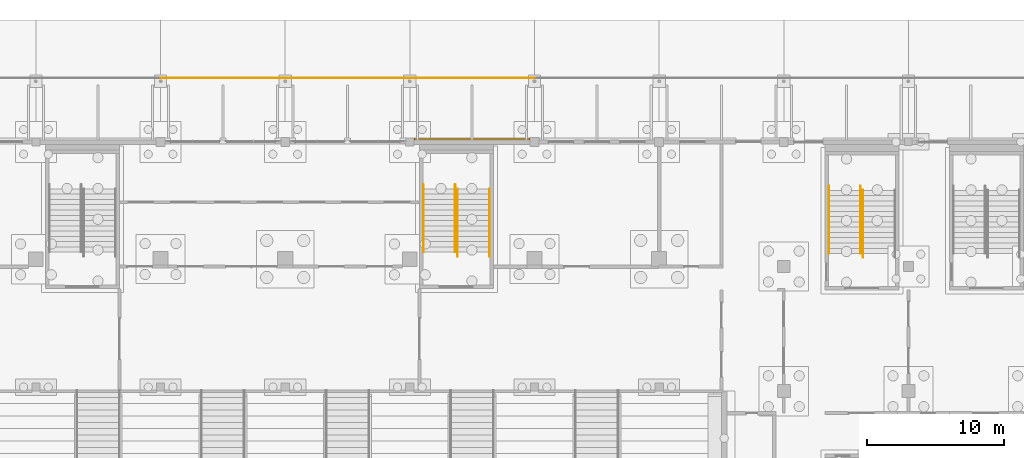
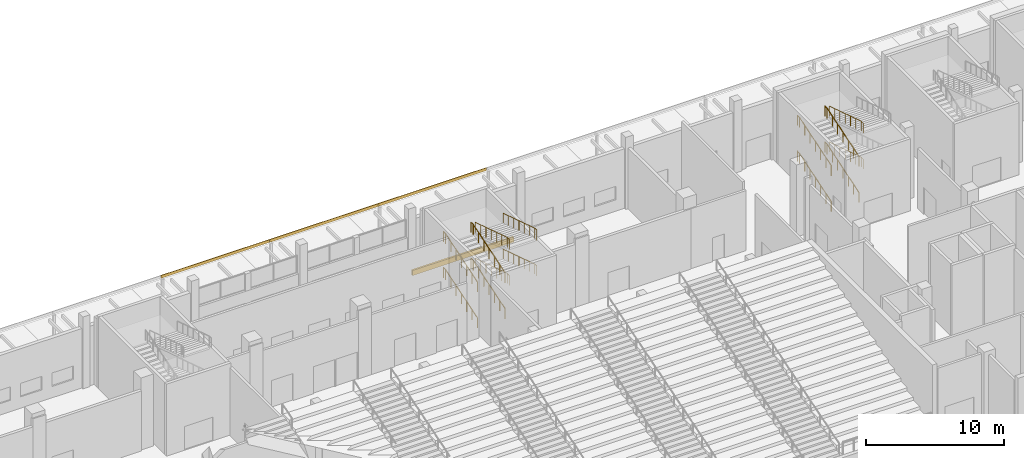
# One storey, part 115 of 129: 14 railings, 4 coverings.
"""IFC4 building model written with IfcOpenShell, lengths in metres."""

from ifc_helpers import new_model, si_unit, direction, frame, origin, origin_2d, place, context, subcontext, project, spatial, rectangle, circle, extrude, material, layer, layer_set, type_object, element, save


model = new_model("IFC4")

# Units and contexts
model_context = context("Model", 3, precision=1e-05, world=origin(), true_north=direction((0.0, 1.0)))
body_context = subcontext(model_context, "Body", "Model", "MODEL_VIEW")
ifc_project = project(units=[si_unit("LENGTHUNIT", "METRE"), si_unit("AREAUNIT", "SQUARE_METRE"), si_unit("VOLUMEUNIT", "CUBIC_METRE"), si_unit("PLANEANGLEUNIT", "RADIAN"), si_unit("MASSUNIT", "GRAM", prefix="KILO")], contexts=[model_context])

# Site, building, storey
site_placement = place(None, origin())
site = spatial("IfcSite", under=ifc_project, at=site_placement, CompositionType="ELEMENT")
building_placement = place(site_placement, origin())
building = spatial("IfcBuilding", under=site, at=building_placement, Name="Shirokan Park Arena", CompositionType="ELEMENT")
storey_placement = place(building_placement, origin())
storey = spatial("IfcBuildingStorey", under=building, at=storey_placement, Name="L00", CompositionType="ELEMENT", Elevation=0.0)

# Coverings
ifc_material_1 = material(Name="Timber fascia (cedar)", Category="wood")
ifc_layer_1 = layer(ifc_material_1, 0.050048828125)
ifc_layer_set_1 = layer_set([ifc_layer_1], Name="Timber fascia (cedar) 50 mm")
covering_type_1 = type_object("IfcCoveringType", Name="Canopy fascia 50x250", PredefinedType="CLADDING", material=ifc_layer_set_1)
for number, where, z_axis, x_axis, name in (
    (1, (86.449951171875, 113.875, 3.5), (0.0, 0.0, 1.0), (-1.0, 0.0, 0.0), "Canopy fascia north bay 7"),
    (2, (77.35009765625, 113.875, 3.5), (0.0, 0.0, 1.0), (-1.0, 0.0, 0.0), "Canopy fascia north bay 8"),
    (3, (68.25, 113.875, 3.5), (0.0, 0.0, 1.0), (-1.0, 0.0, 0.0), "Canopy fascia north bay 9"),
):
    element("IfcCovering", number, at=place(storey_placement, frame(where, z_axis=z_axis, x_axis=x_axis)), inside=storey, type_object=covering_type_1, Name=name, PredefinedType="CLADDING", context=body_context, shape_type="SweptSolid", body=[
        extrude(rectangle(XDim=9.10009765625, YDim=0.050048828125, at=origin_2d()), origin(), (0.0, 0.0, 1.0), 0.25),
    ])

# Railings
ifc_material_2 = material(Name="Stainless steel", Category="steel")
railing_type = type_object("IfcRailingType", Name="Stair handrail 900", PredefinedType="HANDRAIL", material=ifc_material_2)
railing_1_placement = place(storey_placement, frame((112.489990234375, 101.050048828125, 0.12255859375)))
element("IfcRailing", 4, at=railing_1_placement, inside=storey, type_object=railing_type, Name="Handrail Exit Stair 3.D L00 to L01", PredefinedType="HANDRAIL", context=body_context, shape_type="SweptSolid", body=[
    extrude(circle(Radius=0.02392578125, at=origin_2d()), frame((0.0, 0.0, 0.8759765625), z_axis=(0.0, 0.952929747917, 0.303191186441), x_axis=(-1.0, 0.0, 0.0)), (0.0, 0.0, 1.0), 1.6162109375),
    extrude(circle(Radius=0.02392578125, at=origin_2d()), frame((0.0, 1.5400390625, 1.36572265625), z_axis=(0.0, 0.952915858112, 0.303234838629), x_axis=(-1.0, 0.0, 0.0)), (0.0, 0.0, 1.0), 1.615966796875),
    extrude(circle(Radius=0.02392578125, at=origin_2d()), frame((0.0, 3.079833984375, 1.85595703125), z_axis=(0.0, 0.952929747917, 0.303191186441), x_axis=(-1.0, 0.0, 0.0)), (0.0, 0.0, 1.0), 1.6162109375),
    extrude(circle(Radius=0.02392578125, at=origin_2d()), frame((0.0, 4.619873046875, 2.345703125), z_axis=(0.0, 1.0, 0.0), x_axis=(-1.0, 0.0, 0.0)), (0.0, 0.0, 1.0), 0.300048828125),
    extrude(circle(Radius=0.02099609375, at=origin_2d()), origin(), (0.0, 0.0, 1.0), 0.851806640625),
    extrude(circle(Radius=0.02099609375, at=origin_2d()), frame((0.0, 0.77001953125, 0.2451171875)), (0.0, 0.0, 1.0), 0.851806640625),
    extrude(circle(Radius=0.02099609375, at=origin_2d()), frame((0.0, 1.5400390625, 0.489990234375)), (0.0, 0.0, 1.0), 0.851806640625),
    extrude(circle(Radius=0.02099609375, at=origin_2d()), frame((0.0, 2.31005859375, 0.73486328125)), (0.0, 0.0, 1.0), 0.851806640625),
    extrude(circle(Radius=0.02099609375, at=origin_2d()), frame((0.0, 3.079833984375, 0.97998046875)), (0.0, 0.0, 1.0), 0.851806640625),
    extrude(circle(Radius=0.02099609375, at=origin_2d()), frame((0.0, 3.849853515625, 1.22509765625)), (0.0, 0.0, 1.0), 0.851806640625),
    extrude(circle(Radius=0.02099609375, at=origin_2d()), frame((0.0, 4.619873046875, 1.469970703125)), (0.0, 0.0, 1.0), 0.851806640625),
    extrude(circle(Radius=0.02099609375, at=origin_2d()), frame((0.0, 4.919921875, 1.469970703125)), (0.0, 0.0, 1.0), 0.851806640625),
])
railing_2_placement = place(storey_placement, frame((114.81005859375, 101.050048828125, 0.12255859375)))
element("IfcRailing", 5, at=railing_2_placement, inside=storey, type_object=railing_type, Name="Handrail Exit Stair 3.D L00 to L01", PredefinedType="HANDRAIL", context=body_context, shape_type="SweptSolid", body=[
    extrude(circle(Radius=0.02392578125, at=origin_2d()), frame((0.0, 0.0, 0.8759765625), z_axis=(0.0, 0.952929747917, 0.303191186441), x_axis=(-1.0, 0.0, 0.0)), (0.0, 0.0, 1.0), 1.6162109375),
    extrude(circle(Radius=0.02392578125, at=origin_2d()), frame((0.0, 1.5400390625, 1.36572265625), z_axis=(0.0, 0.952915858112, 0.303234838629), x_axis=(-1.0, 0.0, 0.0)), (0.0, 0.0, 1.0), 1.615966796875),
    extrude(circle(Radius=0.02392578125, at=origin_2d()), frame((0.0, 3.079833984375, 1.85595703125), z_axis=(0.0, 0.952929747917, 0.303191186441), x_axis=(-1.0, 0.0, 0.0)), (0.0, 0.0, 1.0), 1.6162109375),
    extrude(circle(Radius=0.02392578125, at=origin_2d()), frame((0.0, 4.619873046875, 2.345703125), z_axis=(0.0, 1.0, 0.0), x_axis=(-1.0, 0.0, 0.0)), (0.0, 0.0, 1.0), 0.300048828125),
    extrude(circle(Radius=0.02099609375, at=origin_2d()), origin(), (0.0, 0.0, 1.0), 0.851806640625),
    extrude(circle(Radius=0.02099609375, at=origin_2d()), frame((0.0, 0.77001953125, 0.2451171875)), (0.0, 0.0, 1.0), 0.851806640625),
    extrude(circle(Radius=0.02099609375, at=origin_2d()), frame((0.0, 1.5400390625, 0.489990234375)), (0.0, 0.0, 1.0), 0.851806640625),
    extrude(circle(Radius=0.02099609375, at=origin_2d()), frame((0.0, 2.31005859375, 0.73486328125)), (0.0, 0.0, 1.0), 0.851806640625),
    extrude(circle(Radius=0.02099609375, at=origin_2d()), frame((0.0, 3.079833984375, 0.97998046875)), (0.0, 0.0, 1.0), 0.851806640625),
    extrude(circle(Radius=0.02099609375, at=origin_2d()), frame((0.0, 3.849853515625, 1.22509765625)), (0.0, 0.0, 1.0), 0.851806640625),
    extrude(circle(Radius=0.02099609375, at=origin_2d()), frame((0.0, 4.619873046875, 1.469970703125)), (0.0, 0.0, 1.0), 0.851806640625),
    extrude(circle(Radius=0.02099609375, at=origin_2d()), frame((0.0, 4.919921875, 1.469970703125)), (0.0, 0.0, 1.0), 0.851806640625),
])
railing_3_placement = place(storey_placement, frame((114.989990234375, 105.669921875, 1.715087890625)))
element("IfcRailing", 6, at=railing_3_placement, inside=storey, type_object=railing_type, Name="Handrail Exit Stair 3.D L00 to L01", PredefinedType="HANDRAIL", context=body_context, shape_type="SweptSolid", body=[
    extrude(circle(Radius=0.02392578125, at=origin_2d()), frame((0.0, 0.0, 0.8759765625), z_axis=(0.0, -0.952929747917, 0.303191186441), x_axis=(1.0, 0.0, 0.0)), (0.0, 0.0, 1.0), 1.6162109375),
    extrude(circle(Radius=0.02392578125, at=origin_2d()), frame((0.0, -1.5400390625, 1.36572265625), z_axis=(0.0, -0.952915858112, 0.303234838629), x_axis=(1.0, 0.0, 0.0)), (0.0, 0.0, 1.0), 1.615966796875),
    extrude(circle(Radius=0.02392578125, at=origin_2d()), frame((0.0, -3.079833984375, 1.85595703125), z_axis=(0.0, -0.952929747917, 0.303191186441), x_axis=(1.0, 0.0, 0.0)), (0.0, 0.0, 1.0), 1.6162109375),
    extrude(circle(Radius=0.02392578125, at=origin_2d()), frame((0.0, -4.619873046875, 2.345703125), z_axis=(0.0, -1.0, 0.0), x_axis=(1.0, 0.0, 0.0)), (0.0, 0.0, 1.0), 0.300048828125),
    extrude(circle(Radius=0.02099609375, at=origin_2d()), origin(), (0.0, 0.0, 1.0), 0.851806640625),
    extrude(circle(Radius=0.02099609375, at=origin_2d()), frame((0.0, -0.77001953125, 0.2451171875)), (0.0, 0.0, 1.0), 0.851806640625),
    extrude(circle(Radius=0.02099609375, at=origin_2d()), frame((0.0, -1.5400390625, 0.489990234375)), (0.0, 0.0, 1.0), 0.851806640625),
    extrude(circle(Radius=0.02099609375, at=origin_2d()), frame((0.0, -2.31005859375, 0.73486328125)), (0.0, 0.0, 1.0), 0.851806640625),
    extrude(circle(Radius=0.02099609375, at=origin_2d()), frame((0.0, -3.079833984375, 0.97998046875)), (0.0, 0.0, 1.0), 0.851806640625),
    extrude(circle(Radius=0.02099609375, at=origin_2d()), frame((0.0, -3.849853515625, 1.22509765625)), (0.0, 0.0, 1.0), 0.851806640625),
    extrude(circle(Radius=0.02099609375, at=origin_2d()), frame((0.0, -4.619873046875, 1.469970703125)), (0.0, 0.0, 1.0), 0.851806640625),
    extrude(circle(Radius=0.02099609375, at=origin_2d()), frame((0.0, -4.919921875, 1.469970703125)), (0.0, 0.0, 1.0), 0.851806640625),
])
railing_4_placement = place(storey_placement, frame((112.489990234375, 101.050048828125, 3.3076171875)))
element("IfcRailing", 7, at=railing_4_placement, inside=storey, type_object=railing_type, Name="Handrail Exit Stair 3.D L00 to L01", PredefinedType="HANDRAIL", context=body_context, shape_type="SweptSolid", body=[
    extrude(circle(Radius=0.02392578125, at=origin_2d()), frame((0.0, 0.0, 0.8759765625), z_axis=(0.0, 0.952929747917, 0.303191186441), x_axis=(-1.0, 0.0, 0.0)), (0.0, 0.0, 1.0), 1.6162109375),
    extrude(circle(Radius=0.02392578125, at=origin_2d()), frame((0.0, 1.5400390625, 1.36572265625), z_axis=(0.0, 0.952915858112, 0.303234838629), x_axis=(-1.0, 0.0, 0.0)), (0.0, 0.0, 1.0), 1.615966796875),
    extrude(circle(Radius=0.02392578125, at=origin_2d()), frame((0.0, 3.079833984375, 1.85595703125), z_axis=(0.0, 0.952929747917, 0.303191186441), x_axis=(-1.0, 0.0, 0.0)), (0.0, 0.0, 1.0), 1.6162109375),
    extrude(circle(Radius=0.02392578125, at=origin_2d()), frame((0.0, 4.619873046875, 2.345703125), z_axis=(0.0, 1.0, 0.0), x_axis=(-1.0, 0.0, 0.0)), (0.0, 0.0, 1.0), 0.300048828125),
    extrude(circle(Radius=0.02099609375, at=origin_2d()), origin(), (0.0, 0.0, 1.0), 0.851806640625),
    extrude(circle(Radius=0.02099609375, at=origin_2d()), frame((0.0, 0.77001953125, 0.2451171875)), (0.0, 0.0, 1.0), 0.851806640625),
    extrude(circle(Radius=0.02099609375, at=origin_2d()), frame((0.0, 1.5400390625, 0.489990234375)), (0.0, 0.0, 1.0), 0.851806640625),
    extrude(circle(Radius=0.02099609375, at=origin_2d()), frame((0.0, 2.31005859375, 0.73486328125)), (0.0, 0.0, 1.0), 0.851806640625),
    extrude(circle(Radius=0.02099609375, at=origin_2d()), frame((0.0, 3.079833984375, 0.97998046875)), (0.0, 0.0, 1.0), 0.851806640625),
    extrude(circle(Radius=0.02099609375, at=origin_2d()), frame((0.0, 3.849853515625, 1.22509765625)), (0.0, 0.0, 1.0), 0.851806640625),
    extrude(circle(Radius=0.02099609375, at=origin_2d()), frame((0.0, 4.619873046875, 1.469970703125)), (0.0, 0.0, 1.0), 0.851806640625),
    extrude(circle(Radius=0.02099609375, at=origin_2d()), frame((0.0, 4.919921875, 1.469970703125)), (0.0, 0.0, 1.0), 0.851806640625),
])
railing_5_placement = place(storey_placement, frame((114.81005859375, 101.050048828125, 3.3076171875)))
element("IfcRailing", 8, at=railing_5_placement, inside=storey, type_object=railing_type, Name="Handrail Exit Stair 3.D L00 to L01", PredefinedType="HANDRAIL", context=body_context, shape_type="SweptSolid", body=[
    extrude(circle(Radius=0.02392578125, at=origin_2d()), frame((0.0, 0.0, 0.8759765625), z_axis=(0.0, 0.952929747917, 0.303191186441), x_axis=(-1.0, 0.0, 0.0)), (0.0, 0.0, 1.0), 1.6162109375),
    extrude(circle(Radius=0.02392578125, at=origin_2d()), frame((0.0, 1.5400390625, 1.36572265625), z_axis=(0.0, 0.952915858112, 0.303234838629), x_axis=(-1.0, 0.0, 0.0)), (0.0, 0.0, 1.0), 1.615966796875),
    extrude(circle(Radius=0.02392578125, at=origin_2d()), frame((0.0, 3.079833984375, 1.85595703125), z_axis=(0.0, 0.952929747917, 0.303191186441), x_axis=(-1.0, 0.0, 0.0)), (0.0, 0.0, 1.0), 1.6162109375),
    extrude(circle(Radius=0.02392578125, at=origin_2d()), frame((0.0, 4.619873046875, 2.345703125), z_axis=(0.0, 1.0, 0.0), x_axis=(-1.0, 0.0, 0.0)), (0.0, 0.0, 1.0), 0.300048828125),
    extrude(circle(Radius=0.02099609375, at=origin_2d()), origin(), (0.0, 0.0, 1.0), 0.851806640625),
    extrude(circle(Radius=0.02099609375, at=origin_2d()), frame((0.0, 0.77001953125, 0.2451171875)), (0.0, 0.0, 1.0), 0.851806640625),
    extrude(circle(Radius=0.02099609375, at=origin_2d()), frame((0.0, 1.5400390625, 0.489990234375)), (0.0, 0.0, 1.0), 0.851806640625),
    extrude(circle(Radius=0.02099609375, at=origin_2d()), frame((0.0, 2.31005859375, 0.73486328125)), (0.0, 0.0, 1.0), 0.851806640625),
    extrude(circle(Radius=0.02099609375, at=origin_2d()), frame((0.0, 3.079833984375, 0.97998046875)), (0.0, 0.0, 1.0), 0.851806640625),
    extrude(circle(Radius=0.02099609375, at=origin_2d()), frame((0.0, 3.849853515625, 1.22509765625)), (0.0, 0.0, 1.0), 0.851806640625),
    extrude(circle(Radius=0.02099609375, at=origin_2d()), frame((0.0, 4.619873046875, 1.469970703125)), (0.0, 0.0, 1.0), 0.851806640625),
    extrude(circle(Radius=0.02099609375, at=origin_2d()), frame((0.0, 4.919921875, 1.469970703125)), (0.0, 0.0, 1.0), 0.851806640625),
])
railing_6_placement = place(storey_placement, frame((114.989990234375, 105.669921875, 4.89990234375)))
element("IfcRailing", 9, at=railing_6_placement, inside=storey, type_object=railing_type, Name="Handrail Exit Stair 3.D L00 to L01", PredefinedType="HANDRAIL", context=body_context, shape_type="SweptSolid", body=[
    extrude(circle(Radius=0.02392578125, at=origin_2d()), frame((0.0, 0.0, 0.8759765625), z_axis=(0.0, -0.952929747917, 0.303191186441), x_axis=(1.0, 0.0, 0.0)), (0.0, 0.0, 1.0), 1.6162109375),
    extrude(circle(Radius=0.02392578125, at=origin_2d()), frame((0.0, -1.5400390625, 1.36572265625), z_axis=(0.0, -0.952915858112, 0.303234838629), x_axis=(1.0, 0.0, 0.0)), (0.0, 0.0, 1.0), 1.615966796875),
    extrude(circle(Radius=0.02392578125, at=origin_2d()), frame((0.0, -3.079833984375, 1.85595703125), z_axis=(0.0, -0.952886093821, 0.303328357069), x_axis=(1.0, 0.0, 0.0)), (0.0, 0.0, 1.0), 1.6162109375),
    extrude(circle(Radius=0.02392578125, at=origin_2d()), frame((0.0, -4.619873046875, 2.34619140625), z_axis=(0.0, -1.0, 0.0), x_axis=(1.0, 0.0, 0.0)), (0.0, 0.0, 1.0), 0.300048828125),
    extrude(circle(Radius=0.02099609375, at=origin_2d()), origin(), (0.0, 0.0, 1.0), 0.851806640625),
    extrude(circle(Radius=0.02099609375, at=origin_2d()), frame((0.0, -0.77001953125, 0.2451171875)), (0.0, 0.0, 1.0), 0.851806640625),
    extrude(circle(Radius=0.02099609375, at=origin_2d()), frame((0.0, -1.5400390625, 0.489990234375)), (0.0, 0.0, 1.0), 0.851806640625),
    extrude(circle(Radius=0.02099609375, at=origin_2d()), frame((0.0, -2.31005859375, 0.73486328125)), (0.0, 0.0, 1.0), 0.851806640625),
    extrude(circle(Radius=0.02099609375, at=origin_2d()), frame((0.0, -3.079833984375, 0.97998046875)), (0.0, 0.0, 1.0), 0.851806640625),
    extrude(circle(Radius=0.02099609375, at=origin_2d()), frame((0.0, -3.849853515625, 1.22509765625)), (0.0, 0.0, 1.0), 0.851806640625),
    extrude(circle(Radius=0.02099609375, at=origin_2d()), frame((0.0, -4.619873046875, 1.47021484375)), (0.0, 0.0, 1.0), 0.851806640625),
    extrude(circle(Radius=0.02099609375, at=origin_2d()), frame((0.0, -4.919921875, 1.47021484375)), (0.0, 0.0, 1.0), 0.851806640625),
])
railing_7_placement = place(storey_placement, frame((82.889892578125, 101.14990234375, 0.12255859375)))
element("IfcRailing", 10, at=railing_7_placement, inside=storey, type_object=railing_type, Name="Handrail Entrance Stair E4.2 L00 to L01", PredefinedType="HANDRAIL", context=body_context, shape_type="SweptSolid", body=[
    extrude(circle(Radius=0.02392578125, at=origin_2d()), frame((0.0, 0.0, 0.8759765625), z_axis=(0.0, 0.952929747917, 0.303191186441), x_axis=(-1.0, 0.0, 0.0)), (0.0, 0.0, 1.0), 1.6162109375),
    extrude(circle(Radius=0.02392578125, at=origin_2d()), frame((0.0, 1.5400390625, 1.36572265625), z_axis=(0.0, 0.952929747917, 0.303191186441), x_axis=(-1.0, 0.0, 0.0)), (0.0, 0.0, 1.0), 1.6162109375),
    extrude(circle(Radius=0.02392578125, at=origin_2d()), frame((0.0, 3.080078125, 1.85595703125), z_axis=(0.0, 0.952929747917, 0.303191186441), x_axis=(-1.0, 0.0, 0.0)), (0.0, 0.0, 1.0), 1.6162109375),
    extrude(circle(Radius=0.02392578125, at=origin_2d()), frame((0.0, 4.6201171875, 2.345703125), z_axis=(0.0, 1.0, 0.0), x_axis=(-1.0, 0.0, 0.0)), (0.0, 0.0, 1.0), 0.300048828125),
    extrude(circle(Radius=0.02099609375, at=origin_2d()), origin(), (0.0, 0.0, 1.0), 0.851806640625),
    extrude(circle(Radius=0.02099609375, at=origin_2d()), frame((0.0, 0.77001953125, 0.2451171875)), (0.0, 0.0, 1.0), 0.851806640625),
    extrude(circle(Radius=0.02099609375, at=origin_2d()), frame((0.0, 1.5400390625, 0.489990234375)), (0.0, 0.0, 1.0), 0.851806640625),
    extrude(circle(Radius=0.02099609375, at=origin_2d()), frame((0.0, 2.31005859375, 0.73486328125)), (0.0, 0.0, 1.0), 0.851806640625),
    extrude(circle(Radius=0.02099609375, at=origin_2d()), frame((0.0, 3.080078125, 0.97998046875)), (0.0, 0.0, 1.0), 0.851806640625),
    extrude(circle(Radius=0.02099609375, at=origin_2d()), frame((0.0, 3.85009765625, 1.22509765625)), (0.0, 0.0, 1.0), 0.851806640625),
    extrude(circle(Radius=0.02099609375, at=origin_2d()), frame((0.0, 4.6201171875, 1.469970703125)), (0.0, 0.0, 1.0), 0.851806640625),
    extrude(circle(Radius=0.02099609375, at=origin_2d()), frame((0.0, 4.920166015625, 1.469970703125)), (0.0, 0.0, 1.0), 0.851806640625),
])
railing_8_placement = place(storey_placement, frame((85.2099609375, 101.14990234375, 0.12255859375)))
element("IfcRailing", 11, at=railing_8_placement, inside=storey, type_object=railing_type, Name="Handrail Entrance Stair E4.2 L00 to L01", PredefinedType="HANDRAIL", context=body_context, shape_type="SweptSolid", body=[
    extrude(circle(Radius=0.02392578125, at=origin_2d()), frame((0.0, 0.0, 0.8759765625), z_axis=(0.0, 0.952929747917, 0.303191186441), x_axis=(-1.0, 0.0, 0.0)), (0.0, 0.0, 1.0), 1.6162109375),
    extrude(circle(Radius=0.02392578125, at=origin_2d()), frame((0.0, 1.5400390625, 1.36572265625), z_axis=(0.0, 0.952929747917, 0.303191186441), x_axis=(-1.0, 0.0, 0.0)), (0.0, 0.0, 1.0), 1.6162109375),
    extrude(circle(Radius=0.02392578125, at=origin_2d()), frame((0.0, 3.080078125, 1.85595703125), z_axis=(0.0, 0.952929747917, 0.303191186441), x_axis=(-1.0, 0.0, 0.0)), (0.0, 0.0, 1.0), 1.6162109375),
    extrude(circle(Radius=0.02392578125, at=origin_2d()), frame((0.0, 4.6201171875, 2.345703125), z_axis=(0.0, 1.0, 0.0), x_axis=(-1.0, 0.0, 0.0)), (0.0, 0.0, 1.0), 0.300048828125),
    extrude(circle(Radius=0.02099609375, at=origin_2d()), origin(), (0.0, 0.0, 1.0), 0.851806640625),
    extrude(circle(Radius=0.02099609375, at=origin_2d()), frame((0.0, 0.77001953125, 0.2451171875)), (0.0, 0.0, 1.0), 0.851806640625),
    extrude(circle(Radius=0.02099609375, at=origin_2d()), frame((0.0, 1.5400390625, 0.489990234375)), (0.0, 0.0, 1.0), 0.851806640625),
    extrude(circle(Radius=0.02099609375, at=origin_2d()), frame((0.0, 2.31005859375, 0.73486328125)), (0.0, 0.0, 1.0), 0.851806640625),
    extrude(circle(Radius=0.02099609375, at=origin_2d()), frame((0.0, 3.080078125, 0.97998046875)), (0.0, 0.0, 1.0), 0.851806640625),
    extrude(circle(Radius=0.02099609375, at=origin_2d()), frame((0.0, 3.85009765625, 1.22509765625)), (0.0, 0.0, 1.0), 0.851806640625),
    extrude(circle(Radius=0.02099609375, at=origin_2d()), frame((0.0, 4.6201171875, 1.469970703125)), (0.0, 0.0, 1.0), 0.851806640625),
    extrude(circle(Radius=0.02099609375, at=origin_2d()), frame((0.0, 4.920166015625, 1.469970703125)), (0.0, 0.0, 1.0), 0.851806640625),
])
railing_9_placement = place(storey_placement, frame((85.389892578125, 105.77001953125, 1.715087890625)))
element("IfcRailing", 12, at=railing_9_placement, inside=storey, type_object=railing_type, Name="Handrail Entrance Stair E4.2 L00 to L01", PredefinedType="HANDRAIL", context=body_context, shape_type="SweptSolid", body=[
    extrude(circle(Radius=0.02392578125, at=origin_2d()), frame((0.0, 0.0, 0.8759765625), z_axis=(0.0, -0.952929747917, 0.303191186441), x_axis=(1.0, 0.0, 0.0)), (0.0, 0.0, 1.0), 1.6162109375),
    extrude(circle(Radius=0.02392578125, at=origin_2d()), frame((0.0, -1.5400390625, 1.36572265625), z_axis=(0.0, -0.952929747917, 0.303191186441), x_axis=(1.0, 0.0, 0.0)), (0.0, 0.0, 1.0), 1.6162109375),
    extrude(circle(Radius=0.02392578125, at=origin_2d()), frame((0.0, -3.080078125, 1.85595703125), z_axis=(0.0, -0.952929747917, 0.303191186441), x_axis=(1.0, 0.0, 0.0)), (0.0, 0.0, 1.0), 1.6162109375),
    extrude(circle(Radius=0.02392578125, at=origin_2d()), frame((0.0, -4.6201171875, 2.345703125), z_axis=(0.0, -1.0, 0.0), x_axis=(1.0, 0.0, 0.0)), (0.0, 0.0, 1.0), 0.2998046875),
    extrude(circle(Radius=0.02099609375, at=origin_2d()), origin(), (0.0, 0.0, 1.0), 0.851806640625),
    extrude(circle(Radius=0.02099609375, at=origin_2d()), frame((0.0, -0.77001953125, 0.2451171875)), (0.0, 0.0, 1.0), 0.851806640625),
    extrude(circle(Radius=0.02099609375, at=origin_2d()), frame((0.0, -1.5400390625, 0.489990234375)), (0.0, 0.0, 1.0), 0.851806640625),
    extrude(circle(Radius=0.02099609375, at=origin_2d()), frame((0.0, -2.31005859375, 0.73486328125)), (0.0, 0.0, 1.0), 0.851806640625),
    extrude(circle(Radius=0.02099609375, at=origin_2d()), frame((0.0, -3.080078125, 0.97998046875)), (0.0, 0.0, 1.0), 0.851806640625),
    extrude(circle(Radius=0.02099609375, at=origin_2d()), frame((0.0, -3.85009765625, 1.22509765625)), (0.0, 0.0, 1.0), 0.851806640625),
    extrude(circle(Radius=0.02099609375, at=origin_2d()), frame((0.0, -4.6201171875, 1.469970703125)), (0.0, 0.0, 1.0), 0.851806640625),
    extrude(circle(Radius=0.02099609375, at=origin_2d()), frame((0.0, -4.919921875, 1.469970703125)), (0.0, 0.0, 1.0), 0.851806640625),
])
railing_10_placement = place(storey_placement, frame((87.7099609375, 105.77001953125, 1.715087890625)))
element("IfcRailing", 13, at=railing_10_placement, inside=storey, type_object=railing_type, Name="Handrail Entrance Stair E4.2 L00 to L01", PredefinedType="HANDRAIL", context=body_context, shape_type="SweptSolid", body=[
    extrude(circle(Radius=0.02392578125, at=origin_2d()), frame((0.0, 0.0, 0.8759765625), z_axis=(0.0, -0.952929747917, 0.303191186441), x_axis=(1.0, 0.0, 0.0)), (0.0, 0.0, 1.0), 1.6162109375),
    extrude(circle(Radius=0.02392578125, at=origin_2d()), frame((0.0, -1.5400390625, 1.36572265625), z_axis=(0.0, -0.952929747917, 0.303191186441), x_axis=(1.0, 0.0, 0.0)), (0.0, 0.0, 1.0), 1.6162109375),
    extrude(circle(Radius=0.02392578125, at=origin_2d()), frame((0.0, -3.080078125, 1.85595703125), z_axis=(0.0, -0.952929747917, 0.303191186441), x_axis=(1.0, 0.0, 0.0)), (0.0, 0.0, 1.0), 1.6162109375),
    extrude(circle(Radius=0.02392578125, at=origin_2d()), frame((0.0, -4.6201171875, 2.345703125), z_axis=(0.0, -1.0, 0.0), x_axis=(1.0, 0.0, 0.0)), (0.0, 0.0, 1.0), 0.2998046875),
    extrude(circle(Radius=0.02099609375, at=origin_2d()), origin(), (0.0, 0.0, 1.0), 0.851806640625),
    extrude(circle(Radius=0.02099609375, at=origin_2d()), frame((0.0, -0.77001953125, 0.2451171875)), (0.0, 0.0, 1.0), 0.851806640625),
    extrude(circle(Radius=0.02099609375, at=origin_2d()), frame((0.0, -1.5400390625, 0.489990234375)), (0.0, 0.0, 1.0), 0.851806640625),
    extrude(circle(Radius=0.02099609375, at=origin_2d()), frame((0.0, -2.31005859375, 0.73486328125)), (0.0, 0.0, 1.0), 0.851806640625),
    extrude(circle(Radius=0.02099609375, at=origin_2d()), frame((0.0, -3.080078125, 0.97998046875)), (0.0, 0.0, 1.0), 0.851806640625),
    extrude(circle(Radius=0.02099609375, at=origin_2d()), frame((0.0, -3.85009765625, 1.22509765625)), (0.0, 0.0, 1.0), 0.851806640625),
    extrude(circle(Radius=0.02099609375, at=origin_2d()), frame((0.0, -4.6201171875, 1.469970703125)), (0.0, 0.0, 1.0), 0.851806640625),
    extrude(circle(Radius=0.02099609375, at=origin_2d()), frame((0.0, -4.919921875, 1.469970703125)), (0.0, 0.0, 1.0), 0.851806640625),
])
railing_11_placement = place(storey_placement, frame((82.889892578125, 101.14990234375, 3.3076171875)))
element("IfcRailing", 14, at=railing_11_placement, inside=storey, type_object=railing_type, Name="Handrail Entrance Stair E4.2 L00 to L01", PredefinedType="HANDRAIL", context=body_context, shape_type="SweptSolid", body=[
    extrude(circle(Radius=0.02392578125, at=origin_2d()), frame((0.0, 0.0, 0.8759765625), z_axis=(0.0, 0.952929747917, 0.303191186441), x_axis=(-1.0, 0.0, 0.0)), (0.0, 0.0, 1.0), 1.6162109375),
    extrude(circle(Radius=0.02392578125, at=origin_2d()), frame((0.0, 1.5400390625, 1.36572265625), z_axis=(0.0, 0.952929747917, 0.303191186441), x_axis=(-1.0, 0.0, 0.0)), (0.0, 0.0, 1.0), 1.6162109375),
    extrude(circle(Radius=0.02392578125, at=origin_2d()), frame((0.0, 3.080078125, 1.85595703125), z_axis=(0.0, 0.952929747917, 0.303191186441), x_axis=(-1.0, 0.0, 0.0)), (0.0, 0.0, 1.0), 1.6162109375),
    extrude(circle(Radius=0.02392578125, at=origin_2d()), frame((0.0, 4.6201171875, 2.345703125), z_axis=(0.0, 1.0, 0.0), x_axis=(-1.0, 0.0, 0.0)), (0.0, 0.0, 1.0), 0.300048828125),
    extrude(circle(Radius=0.02099609375, at=origin_2d()), origin(), (0.0, 0.0, 1.0), 0.851806640625),
    extrude(circle(Radius=0.02099609375, at=origin_2d()), frame((0.0, 0.77001953125, 0.2451171875)), (0.0, 0.0, 1.0), 0.851806640625),
    extrude(circle(Radius=0.02099609375, at=origin_2d()), frame((0.0, 1.5400390625, 0.489990234375)), (0.0, 0.0, 1.0), 0.851806640625),
    extrude(circle(Radius=0.02099609375, at=origin_2d()), frame((0.0, 2.31005859375, 0.73486328125)), (0.0, 0.0, 1.0), 0.851806640625),
    extrude(circle(Radius=0.02099609375, at=origin_2d()), frame((0.0, 3.080078125, 0.97998046875)), (0.0, 0.0, 1.0), 0.851806640625),
    extrude(circle(Radius=0.02099609375, at=origin_2d()), frame((0.0, 3.85009765625, 1.22509765625)), (0.0, 0.0, 1.0), 0.851806640625),
    extrude(circle(Radius=0.02099609375, at=origin_2d()), frame((0.0, 4.6201171875, 1.469970703125)), (0.0, 0.0, 1.0), 0.851806640625),
    extrude(circle(Radius=0.02099609375, at=origin_2d()), frame((0.0, 4.920166015625, 1.469970703125)), (0.0, 0.0, 1.0), 0.851806640625),
])
railing_12_placement = place(storey_placement, frame((85.2099609375, 101.14990234375, 3.3076171875)))
element("IfcRailing", 15, at=railing_12_placement, inside=storey, type_object=railing_type, Name="Handrail Entrance Stair E4.2 L00 to L01", PredefinedType="HANDRAIL", context=body_context, shape_type="SweptSolid", body=[
    extrude(circle(Radius=0.02392578125, at=origin_2d()), frame((0.0, 0.0, 0.8759765625), z_axis=(0.0, 0.952929747917, 0.303191186441), x_axis=(-1.0, 0.0, 0.0)), (0.0, 0.0, 1.0), 1.6162109375),
    extrude(circle(Radius=0.02392578125, at=origin_2d()), frame((0.0, 1.5400390625, 1.36572265625), z_axis=(0.0, 0.952929747917, 0.303191186441), x_axis=(-1.0, 0.0, 0.0)), (0.0, 0.0, 1.0), 1.6162109375),
    extrude(circle(Radius=0.02392578125, at=origin_2d()), frame((0.0, 3.080078125, 1.85595703125), z_axis=(0.0, 0.952929747917, 0.303191186441), x_axis=(-1.0, 0.0, 0.0)), (0.0, 0.0, 1.0), 1.6162109375),
    extrude(circle(Radius=0.02392578125, at=origin_2d()), frame((0.0, 4.6201171875, 2.345703125), z_axis=(0.0, 1.0, 0.0), x_axis=(-1.0, 0.0, 0.0)), (0.0, 0.0, 1.0), 0.300048828125),
    extrude(circle(Radius=0.02099609375, at=origin_2d()), origin(), (0.0, 0.0, 1.0), 0.851806640625),
    extrude(circle(Radius=0.02099609375, at=origin_2d()), frame((0.0, 0.77001953125, 0.2451171875)), (0.0, 0.0, 1.0), 0.851806640625),
    extrude(circle(Radius=0.02099609375, at=origin_2d()), frame((0.0, 1.5400390625, 0.489990234375)), (0.0, 0.0, 1.0), 0.851806640625),
    extrude(circle(Radius=0.02099609375, at=origin_2d()), frame((0.0, 2.31005859375, 0.73486328125)), (0.0, 0.0, 1.0), 0.851806640625),
    extrude(circle(Radius=0.02099609375, at=origin_2d()), frame((0.0, 3.080078125, 0.97998046875)), (0.0, 0.0, 1.0), 0.851806640625),
    extrude(circle(Radius=0.02099609375, at=origin_2d()), frame((0.0, 3.85009765625, 1.22509765625)), (0.0, 0.0, 1.0), 0.851806640625),
    extrude(circle(Radius=0.02099609375, at=origin_2d()), frame((0.0, 4.6201171875, 1.469970703125)), (0.0, 0.0, 1.0), 0.851806640625),
    extrude(circle(Radius=0.02099609375, at=origin_2d()), frame((0.0, 4.920166015625, 1.469970703125)), (0.0, 0.0, 1.0), 0.851806640625),
])
railing_13_placement = place(storey_placement, frame((85.389892578125, 105.77001953125, 4.89990234375)))
element("IfcRailing", 16, at=railing_13_placement, inside=storey, type_object=railing_type, Name="Handrail Entrance Stair E4.2 L00 to L01", PredefinedType="HANDRAIL", context=body_context, shape_type="SweptSolid", body=[
    extrude(circle(Radius=0.02392578125, at=origin_2d()), frame((0.0, 0.0, 0.8759765625), z_axis=(0.0, -0.952929747917, 0.303191186441), x_axis=(1.0, 0.0, 0.0)), (0.0, 0.0, 1.0), 1.6162109375),
    extrude(circle(Radius=0.02392578125, at=origin_2d()), frame((0.0, -1.5400390625, 1.36572265625), z_axis=(0.0, -0.952929747917, 0.303191186441), x_axis=(1.0, 0.0, 0.0)), (0.0, 0.0, 1.0), 1.6162109375),
    extrude(circle(Radius=0.02392578125, at=origin_2d()), frame((0.0, -3.080078125, 1.85595703125), z_axis=(0.0, -0.952886093821, 0.303328357069), x_axis=(1.0, 0.0, 0.0)), (0.0, 0.0, 1.0), 1.6162109375),
    extrude(circle(Radius=0.02392578125, at=origin_2d()), frame((0.0, -4.6201171875, 2.34619140625), z_axis=(0.0, -1.0, 0.0), x_axis=(1.0, 0.0, 0.0)), (0.0, 0.0, 1.0), 0.2998046875),
    extrude(circle(Radius=0.02099609375, at=origin_2d()), origin(), (0.0, 0.0, 1.0), 0.851806640625),
    extrude(circle(Radius=0.02099609375, at=origin_2d()), frame((0.0, -0.77001953125, 0.2451171875)), (0.0, 0.0, 1.0), 0.851806640625),
    extrude(circle(Radius=0.02099609375, at=origin_2d()), frame((0.0, -1.5400390625, 0.489990234375)), (0.0, 0.0, 1.0), 0.851806640625),
    extrude(circle(Radius=0.02099609375, at=origin_2d()), frame((0.0, -2.31005859375, 0.73486328125)), (0.0, 0.0, 1.0), 0.851806640625),
    extrude(circle(Radius=0.02099609375, at=origin_2d()), frame((0.0, -3.080078125, 0.97998046875)), (0.0, 0.0, 1.0), 0.851806640625),
    extrude(circle(Radius=0.02099609375, at=origin_2d()), frame((0.0, -3.85009765625, 1.22509765625)), (0.0, 0.0, 1.0), 0.851806640625),
    extrude(circle(Radius=0.02099609375, at=origin_2d()), frame((0.0, -4.6201171875, 1.47021484375)), (0.0, 0.0, 1.0), 0.851806640625),
    extrude(circle(Radius=0.02099609375, at=origin_2d()), frame((0.0, -4.919921875, 1.47021484375)), (0.0, 0.0, 1.0), 0.851806640625),
])
railing_14_placement = place(storey_placement, frame((87.7099609375, 105.77001953125, 4.89990234375)))
element("IfcRailing", 17, at=railing_14_placement, inside=storey, type_object=railing_type, Name="Handrail Entrance Stair E4.2 L00 to L01", PredefinedType="HANDRAIL", context=body_context, shape_type="SweptSolid", body=[
    extrude(circle(Radius=0.02392578125, at=origin_2d()), frame((0.0, 0.0, 0.8759765625), z_axis=(0.0, -0.952929747917, 0.303191186441), x_axis=(1.0, 0.0, 0.0)), (0.0, 0.0, 1.0), 1.6162109375),
    extrude(circle(Radius=0.02392578125, at=origin_2d()), frame((0.0, -1.5400390625, 1.36572265625), z_axis=(0.0, -0.952929747917, 0.303191186441), x_axis=(1.0, 0.0, 0.0)), (0.0, 0.0, 1.0), 1.6162109375),
    extrude(circle(Radius=0.02392578125, at=origin_2d()), frame((0.0, -3.080078125, 1.85595703125), z_axis=(0.0, -0.952886093821, 0.303328357069), x_axis=(1.0, 0.0, 0.0)), (0.0, 0.0, 1.0), 1.6162109375),
    extrude(circle(Radius=0.02392578125, at=origin_2d()), frame((0.0, -4.6201171875, 2.34619140625), z_axis=(0.0, -1.0, 0.0), x_axis=(1.0, 0.0, 0.0)), (0.0, 0.0, 1.0), 0.2998046875),
    extrude(circle(Radius=0.02099609375, at=origin_2d()), origin(), (0.0, 0.0, 1.0), 0.851806640625),
    extrude(circle(Radius=0.02099609375, at=origin_2d()), frame((0.0, -0.77001953125, 0.2451171875)), (0.0, 0.0, 1.0), 0.851806640625),
    extrude(circle(Radius=0.02099609375, at=origin_2d()), frame((0.0, -1.5400390625, 0.489990234375)), (0.0, 0.0, 1.0), 0.851806640625),
    extrude(circle(Radius=0.02099609375, at=origin_2d()), frame((0.0, -2.31005859375, 0.73486328125)), (0.0, 0.0, 1.0), 0.851806640625),
    extrude(circle(Radius=0.02099609375, at=origin_2d()), frame((0.0, -3.080078125, 0.97998046875)), (0.0, 0.0, 1.0), 0.851806640625),
    extrude(circle(Radius=0.02099609375, at=origin_2d()), frame((0.0, -3.85009765625, 1.22509765625)), (0.0, 0.0, 1.0), 0.851806640625),
    extrude(circle(Radius=0.02099609375, at=origin_2d()), frame((0.0, -4.6201171875, 1.47021484375)), (0.0, 0.0, 1.0), 0.851806640625),
    extrude(circle(Radius=0.02099609375, at=origin_2d()), frame((0.0, -4.919921875, 1.47021484375)), (0.0, 0.0, 1.0), 0.851806640625),
])

# Covering
ifc_material_3 = material(Name="Natural stone", Category="masonry")
ifc_layer_2 = layer(ifc_material_3, 0.14990234375)
ifc_layer_set_2 = layer_set([ifc_layer_2], Name="Natural stone 150 mm")
covering_type_2 = type_object("IfcCoveringType", Name="Stone plinth 150x450", PredefinedType="CLADDING", material=ifc_layer_set_2)
covering_placement = place(storey_placement, frame((86.4375, 109.425048828125, 0.0), z_axis=(0.0, 0.0, 1.0), x_axis=(-1.0, 0.0, 0.0)))
element("IfcCovering", 18, at=covering_placement, inside=storey, type_object=covering_type_2, Name="Stone plinth north bay 7", PredefinedType="CLADDING", context=body_context, shape_type="SweptSolid", body=[
    extrude(rectangle(XDim=8.47509765625, YDim=0.14990234375, at=origin_2d()), origin(), (0.0, 0.0, 1.0), 0.449951171875),
])

save(model, "model.ifc")
